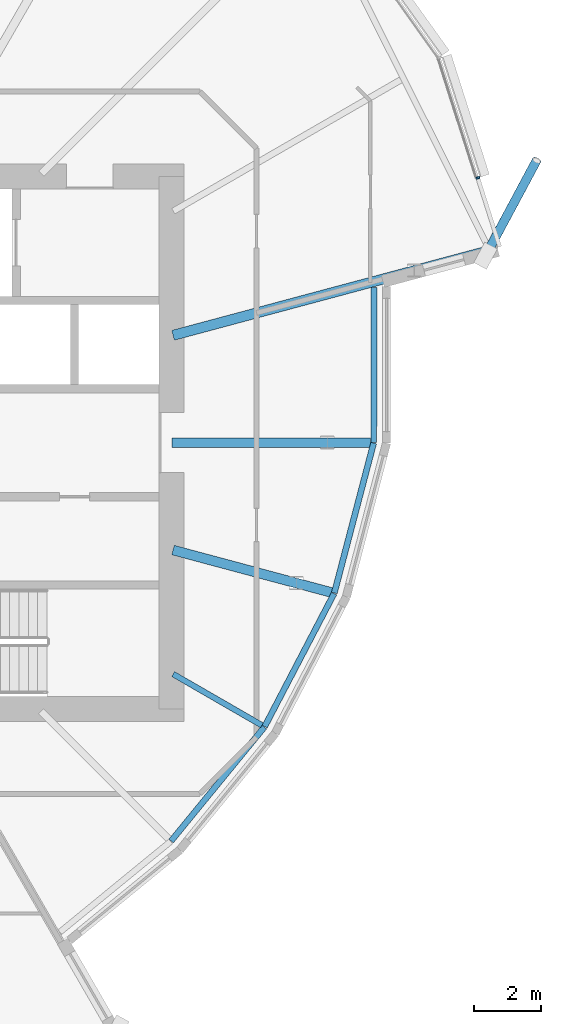
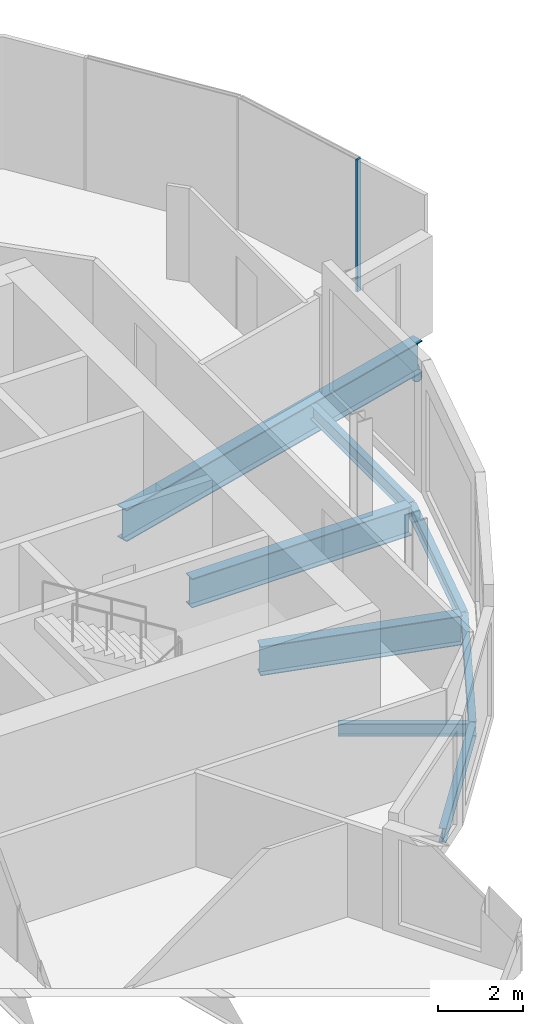
# One storey, part 16 of 39: 8 beams, 2 members, 1 element without a shape of its own.
"""IFC4 building model written with IfcOpenShell, lengths in metres."""

from ifc_helpers import new_model, si_unit, direction, frame, origin, origin_2d, place, context, subcontext, project, spatial, rectangle, hollow_circle, i_section, extrude, clip, halfspace, material, material_profile, profile_set, type_object, element, aggregate, save


model = new_model("IFC4")

# Units and contexts
model_context = context("Model", 3, precision=1e-05, world=origin(), true_north=direction((0.0, 1.0)))
body_context = subcontext(model_context, "Body", "Model", "MODEL_VIEW")
ifc_project = project(units=[si_unit("LENGTHUNIT", "METRE"), si_unit("AREAUNIT", "SQUARE_METRE"), si_unit("VOLUMEUNIT", "CUBIC_METRE"), si_unit("PLANEANGLEUNIT", "RADIAN"), si_unit("MASSUNIT", "GRAM", prefix="KILO")], contexts=[model_context])

# Site, building, storey
site_placement = place(None, origin())
site = spatial("IfcSite", under=ifc_project, at=site_placement, CompositionType="ELEMENT")
building_placement = place(site_placement, origin())
building = spatial("IfcBuilding", under=site, at=building_placement, Name="Rimbun Link Towers", CompositionType="ELEMENT")
storey_placement = place(building_placement, frame((0.0, 0.0, 112.0)))
storey = spatial("IfcBuildingStorey", under=building, at=storey_placement, Name="L27", CompositionType="ELEMENT", Elevation=112.0)

# Curtain wall, member
ifc_material_1 = material(Name="Aluminium 6063-T6 and low-iron glass", Category="aluminium")
curtain_wall_type = type_object("IfcCurtainWallType", Name="CW1-Z2 unitised vision wall (zone 2)", PredefinedType="NOTDEFINED", material=ifc_material_1)
curtain_wall_placement = place(storey_placement, origin())
curtain_wall = element("IfcCurtainWall", 1, at=curtain_wall_placement, inside=storey, type_object=curtain_wall_type, Name="CW1 L27 T2", PredefinedType="NOTDEFINED")
ifc_material_2 = material(Name="Aluminium 6063-T6", Category="aluminium")
ifc_material_profile_1 = material_profile(ifc_material_2, rectangle(XDim=0.1201171875, YDim=0.06005859375, at=origin_2d()), Name="MULLION 60X120")
ifc_profile_set_1 = profile_set([ifc_material_profile_1], Name="Aluminium 6063-T6")
member_type_1 = type_object("IfcMemberType", Name="CW1 mullion 60X120", PredefinedType="MULLION", material=ifc_profile_set_1)
member_1_placement = place(storey_placement, frame((52.947021484375, 7.957763671875, 0.0), z_axis=(0.0, 0.0, 1.0), x_axis=(0.952972314709, 0.303057366512, 0.0)))
member_1 = element("IfcMember", 2, at=member_1_placement, type_object=member_type_1, Name="CW1 mullion", PredefinedType="MULLION", context=body_context, shape_type="SweptSolid", body=[
    extrude(rectangle(XDim=0.1201171875, YDim=0.06005859375, at=origin_2d()), origin(), (0.0, 0.0, 1.0), 3.800048828125),
])
aggregate(curtain_wall, [member_1])

# Member
ifc_material_3 = material(Name="Steel S355J2H", Category="steel")
ifc_material_profile_2 = material_profile(ifc_material_3, hollow_circle(Radius=0.136474609375, WallThickness=0.012451171875, at=origin_2d()), Name="CHS 273x12.5")
ifc_profile_set_2 = profile_set([ifc_material_profile_2], Name="Steel S355J2H")
member_type_2 = type_object("IfcMemberType", Name="Floor edge link CHS 273x12.5", PredefinedType="BRACE", material=ifc_profile_set_2)
member_2_placement = place(storey_placement, frame((53.259521484375, 5.763427734375, -1.1962890625), z_axis=(0.406481325327, 0.759163651713, -0.508373368774), x_axis=(-0.881583144217, 0.472028770132, 0.0)))
element("IfcMember", 3, at=member_2_placement, inside=storey, type_object=member_type_2, Name="Floor edge link T2 L27 22", PredefinedType="BRACE", context=body_context, shape_type="Clipping", body=[
    clip(extrude(hollow_circle(Radius=0.136474609375, WallThickness=0.012451171875, at=origin_2d()), frame((0.0, 0.0, -0.482177734375)), (0.0, 0.0, 1.0), 4.076171875), halfspace(frame((0.0, 0.0, -0.22802734375), z_axis=(0.0, 0.861136759128, -0.508373368774)), False)),
])

# Beams
ifc_material_4 = material(Name="Steel S355J2", Category="steel")
ifc_material_profile_3 = material_profile(ifc_material_4, i_section(OverallWidth=0.17138671875, OverallDepth=0.35498046875, WebThickness=0.00732421875, FlangeThickness=0.011474609375, at=origin_2d()), Name="UB 356x171x51")
ifc_profile_set_3 = profile_set([ifc_material_profile_3], Name="Steel S355J2")
beam_type_1 = type_object("IfcBeamType", Name="UB 356x171x51", PredefinedType="BEAM", material=ifc_profile_set_3)
beam_1_placement = place(storey_placement, frame((43.793701171875, -6.95361328125, -0.33740234375), z_axis=(0.866049645853, -0.499958009155, 0.0), x_axis=(0.499958009155, 0.866049645853, 0.0)))
element("IfcBeam", 4, at=beam_1_placement, inside=storey, type_object=beam_type_1, Name="Radial beam T2 L27 19", PredefinedType="BEAM", context=body_context, shape_type="SweptSolid", body=[
    extrude(i_section(OverallWidth=0.17138671875, OverallDepth=0.35498046875, WebThickness=0.00732421875, FlangeThickness=0.011474609375, at=origin_2d()), origin(), (0.0, 0.0, 1.0), 3.080322265625),
])
ifc_material_5 = material(Name="Steel S355J2", Category="steel")
ifc_material_profile_4 = material_profile(ifc_material_5, i_section(OverallWidth=0.177978515625, OverallDepth=0.406494140625, WebThickness=0.0078125, FlangeThickness=0.0126953125, at=origin_2d()), Name="UB 406x178x60")
ifc_profile_set_4 = profile_set([ifc_material_profile_4], Name="Steel S355J2")
beam_type_2 = type_object("IfcBeamType", Name="UB 406x178x60", PredefinedType="BEAM", material=ifc_profile_set_4)
beam_2_placement = place(storey_placement, frame((43.732421875, -11.968505859375, -0.36328125), z_axis=(0.633321969167, 0.773888417907, 0.0), x_axis=(-0.773888417907, 0.633321969167, 0.0)))
element("IfcBeam", 5, at=beam_2_placement, inside=storey, type_object=beam_type_2, Name="Edge beam T2 L27 18 recess", PredefinedType="BEAM", context=body_context, shape_type="SweptSolid", body=[
    extrude(i_section(OverallWidth=0.177978515625, OverallDepth=0.406494140625, WebThickness=0.0078125, FlangeThickness=0.0126953125, at=origin_2d()), origin(), (0.0, 0.0, 1.0), 4.421875),
])
beam_3_placement = place(storey_placement, frame((46.544189453125, -8.52978515625, -0.36328125), z_axis=(0.462595625847, 0.886569392065, 0.0), x_axis=(-0.886569392065, 0.462595625847, 0.0)))
element("IfcBeam", 6, at=beam_3_placement, inside=storey, type_object=beam_type_2, Name="Edge beam T2 L27 19 recess", PredefinedType="BEAM", context=body_context, shape_type="SweptSolid", body=[
    extrude(i_section(OverallWidth=0.177978515625, OverallDepth=0.406494140625, WebThickness=0.0078125, FlangeThickness=0.0126953125, at=origin_2d()), origin(), (0.0, 0.0, 1.0), 4.507080078125),
])
beam_4_placement = place(storey_placement, frame((48.636962890625, -4.513427734375, -0.36328125), z_axis=(0.25380119779, 0.967256404476, 0.0), x_axis=(-0.967256404476, 0.25380119779, 0.0)))
element("IfcBeam", 7, at=beam_4_placement, inside=storey, type_object=beam_type_2, Name="Edge beam T2 L27 20 recess", PredefinedType="BEAM", context=body_context, shape_type="SweptSolid", body=[
    extrude(i_section(OverallWidth=0.177978515625, OverallDepth=0.406494140625, WebThickness=0.0078125, FlangeThickness=0.0126953125, at=origin_2d()), origin(), (0.0, 0.0, 1.0), 4.65380859375),
])
beam_5_placement = place(storey_placement, frame((49.8212890625, 0.012451171875, -0.36328125), z_axis=(0.001628063595, 0.999998674704, 0.0), x_axis=(-0.999998674704, 0.001628063595, 0.0)))
element("IfcBeam", 8, at=beam_5_placement, inside=storey, type_object=beam_type_2, Name="Edge beam T2 L27 21 recess", PredefinedType="BEAM", context=body_context, shape_type="SweptSolid", body=[
    extrude(i_section(OverallWidth=0.177978515625, OverallDepth=0.406494140625, WebThickness=0.0078125, FlangeThickness=0.0126953125, at=origin_2d()), origin(), (0.0, 0.0, 1.0), 4.648681640625),
])
ifc_material_6 = material(Name="Steel S355J2", Category="steel")
ifc_material_profile_5 = material_profile(ifc_material_6, i_section(OverallWidth=0.29248046875, OverallDepth=0.8408203125, WebThickness=0.0126953125, FlangeThickness=0.021728515625, at=origin_2d()), Name="UB 838x292x194")
ifc_profile_set_5 = profile_set([ifc_material_profile_5], Name="Steel S355J2")
beam_type_3 = type_object("IfcBeamType", Name="UB 838x292x194", PredefinedType="BEAM", material=ifc_profile_set_5)
beam_6_placement = place(storey_placement, frame((43.788818359375, -3.225830078125, -0.580322265625), z_axis=(0.965926592168, -0.258816186787, 0.0), x_axis=(0.258816186787, 0.965926592168, 0.0)))
element("IfcBeam", 9, at=beam_6_placement, inside=storey, type_object=beam_type_3, Name="Radial beam T2 L27 20", PredefinedType="BEAM", context=body_context, shape_type="SweptSolid", body=[
    extrude(i_section(OverallWidth=0.29248046875, OverallDepth=0.8408203125, WebThickness=0.0126953125, FlangeThickness=0.021728515625, at=origin_2d()), origin(), (0.0, 0.0, 1.0), 4.92578125),
])
beam_7_placement = place(storey_placement, frame((43.7509765625, 0.0, -0.580322265625), z_axis=(1.0, 0.0, 0.0), x_axis=(0.0, 1.0, 0.0)))
element("IfcBeam", 10, at=beam_7_placement, inside=storey, type_object=beam_type_3, Name="Radial beam T2 L27 21", PredefinedType="BEAM", context=body_context, shape_type="SweptSolid", body=[
    extrude(i_section(OverallWidth=0.29248046875, OverallDepth=0.8408203125, WebThickness=0.0126953125, FlangeThickness=0.021728515625, at=origin_2d()), origin(), (0.0, 0.0, 1.0), 5.979736328125),
])
ifc_material_7 = material(Name="Steel S355J2", Category="steel")
ifc_material_profile_6 = material_profile(ifc_material_7, i_section(OverallWidth=0.305419921875, OverallDepth=0.91845703125, WebThickness=0.017333984375, FlangeThickness=0.02783203125, at=origin_2d()), Name="UB 914x305x253")
ifc_profile_set_6 = profile_set([ifc_material_profile_6], Name="Steel S355J2")
beam_type_4 = type_object("IfcBeamType", Name="UB 914x305x253", PredefinedType="BEAM", material=ifc_profile_set_6)
beam_8_placement = place(storey_placement, frame((43.79052734375, 3.226318359375, -0.619140625), z_axis=(0.96592869659, 0.258808332757, 0.0), x_axis=(-0.258808332757, 0.96592869659, 0.0)))
element("IfcBeam", 11, at=beam_8_placement, inside=storey, type_object=beam_type_4, Name="Radial beam T2 L27 22", PredefinedType="BEAM", context=body_context, shape_type="SweptSolid", body=[
    extrude(i_section(OverallWidth=0.305419921875, OverallDepth=0.91845703125, WebThickness=0.017333984375, FlangeThickness=0.02783203125, at=origin_2d()), origin(), (0.0, 0.0, 1.0), 9.85302734375),
])

save(model, "model.ifc")
